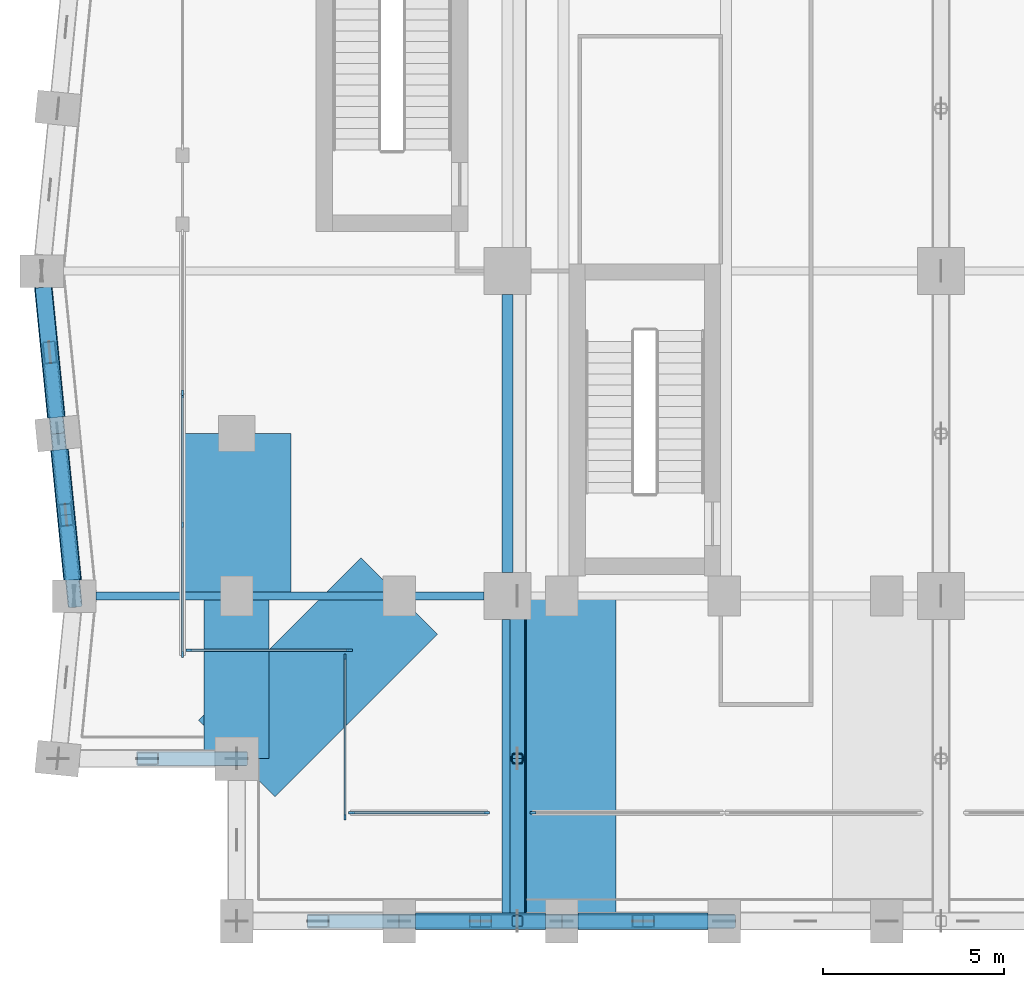
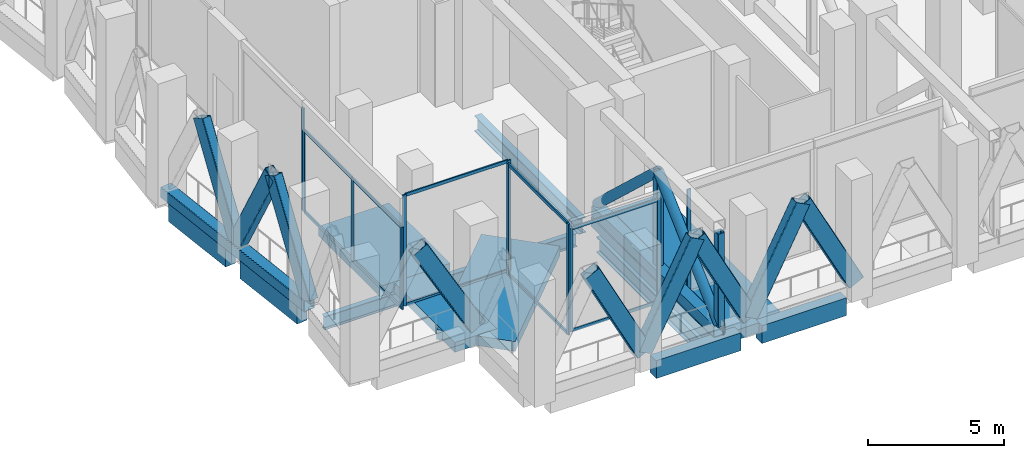
# One storey, part 2 of 37: 36 members, 11 beams, 6 elements without a shape of their own.
"""IFC4 building model written with IfcOpenShell, lengths in metres."""

from ifc_helpers import new_model, si_unit, direction, frame, origin, origin_2d, place, context, subcontext, project, spatial, rectangle, hollow_rectangle, hollow_circle, i_section, extrude, material, material_profile, profile_set, type_object, element, aggregate, save


model = new_model("IFC4")

# Units and contexts
model_context = context("Model", 3, precision=1e-05, world=origin(), true_north=direction((0.0, 1.0)))
body_context = subcontext(model_context, "Body", "Model", "MODEL_VIEW")
ifc_project = project(units=[si_unit("LENGTHUNIT", "METRE"), si_unit("AREAUNIT", "SQUARE_METRE"), si_unit("VOLUMEUNIT", "CUBIC_METRE"), si_unit("PLANEANGLEUNIT", "RADIAN"), si_unit("MASSUNIT", "GRAM", prefix="KILO")], contexts=[model_context])

# Site, building, storey
site_placement = place(None, origin())
site = spatial("IfcSite", under=ifc_project, at=site_placement, CompositionType="ELEMENT")
building_placement = place(site_placement, origin())
building = spatial("IfcBuilding", under=site, at=building_placement, Name="Brondeck Convention Tower", CompositionType="ELEMENT")
storey_placement = place(building_placement, frame((0.0, 0.0, 137.89990234375)))
storey = spatial("IfcBuildingStorey", under=building, at=storey_placement, Name="L33", CompositionType="ELEMENT", Elevation=137.89990234375)

# Beams
ifc_material_1 = material(Name="Concrete C70/85", Category="concrete")
ifc_material_profile_1 = material_profile(ifc_material_1, rectangle(XDim=1.800048828125, YDim=0.43994140625, at=origin_2d()), Name="Band beam 1800x440 Concrete C70/85")
ifc_profile_set_1 = profile_set([ifc_material_profile_1], Name="Concrete C70/85")
beam_type_1 = type_object("IfcBeamType", Name="Band beam 1800x440 Concrete C70/85", PredefinedType="BEAM", material=ifc_profile_set_1)
beam_1_placement = place(storey_placement, frame((4.5, 9.0, -0.219970703125), z_axis=(0.0, -1.0, 0.0), x_axis=(1.0, 0.0, 0.0)))
element("IfcBeam", 1, at=beam_1_placement, inside=storey, type_object=beam_type_1, Name="Band beam L33-19", PredefinedType="BEAM", context=body_context, shape_type="SweptSolid", body=[
    extrude(rectangle(XDim=1.800048828125, YDim=0.43994140625, at=origin_2d()), origin(), (0.0, 0.0, 1.0), 4.5),
])
ifc_material_profile_2 = material_profile(ifc_material_1, rectangle(XDim=3.0, YDim=0.43994140625, at=origin_2d()), Name="Band beam 3000x440 Concrete C70/85")
ifc_profile_set_2 = profile_set([ifc_material_profile_2], Name="Concrete C70/85")
beam_type_2 = type_object("IfcBeamType", Name="Band beam 3000x440 Concrete C70/85", PredefinedType="BEAM", material=ifc_profile_set_2)
beam_2_placement = place(storey_placement, frame((4.5, 13.5, -0.219970703125), z_axis=(0.0, -1.0, 0.0), x_axis=(1.0, 0.0, 0.0)))
element("IfcBeam", 2, at=beam_2_placement, inside=storey, type_object=beam_type_2, Name="Band beam L33-20", PredefinedType="BEAM", context=body_context, shape_type="SweptSolid", body=[
    extrude(rectangle(XDim=3.0, YDim=0.43994140625, at=origin_2d()), origin(), (0.0, 0.0, 1.0), 4.5),
])
beam_3_placement = place(storey_placement, frame((9.0, 9.0, -0.219970703125), z_axis=(-0.707106781187, -0.707106781187, 0.0), x_axis=(0.707106781187, -0.707106781187, 0.0)))
element("IfcBeam", 3, at=beam_3_placement, inside=storey, type_object=beam_type_2, Name="Band beam L33-21", PredefinedType="BEAM", context=body_context, shape_type="SweptSolid", body=[
    extrude(rectangle(XDim=3.0, YDim=0.43994140625, at=origin_2d()), origin(), (0.0, 0.0, 1.0), 6.364013671875),
])
beam_4_placement = place(storey_placement, frame((13.5, 9.0, -0.219970703125), z_axis=(0.0, -1.0, 0.0), x_axis=(1.0, 0.0, 0.0)))
element("IfcBeam", 4, at=beam_4_placement, inside=storey, type_object=beam_type_2, Name="Band beam L33-22", PredefinedType="BEAM", context=body_context, shape_type="SweptSolid", body=[
    extrude(rectangle(XDim=3.0, YDim=0.43994140625, at=origin_2d()), origin(), (0.0, 0.0, 1.0), 9.0),
])

# Curtain wall, members
ifc_material_2 = material(Name="Aluminium, bronze anodised", Category="aluminium")
curtain_wall_type = type_object("IfcCurtainWallType", Name="Sky lobby curtain wall", PredefinedType="NOTDEFINED", material=ifc_material_2)
curtain_wall_1_placement = place(storey_placement, origin())
curtain_wall_1 = element("IfcCurtainWall", 5, at=curtain_wall_1_placement, inside=storey, type_object=curtain_wall_type, Name="ENV-L33-001-CW30", PredefinedType="NOTDEFINED")
ifc_material_profile_3 = material_profile(ifc_material_2, rectangle(XDim=0.06005859375, YDim=0.159912109375, at=origin_2d()), Name="CW3 mullion")
ifc_profile_set_3 = profile_set([ifc_material_profile_3], Name="Aluminium, bronze anodised")
member_type_1 = type_object("IfcMemberType", Name="CW3 mullion", PredefinedType="MULLION", material=ifc_profile_set_3)
member_1_placement = place(storey_placement, frame((7.6201171875, 7.5, 0.0), z_axis=(0.0, 0.0, 1.0), x_axis=(0.0, -1.0, 0.0)))
member_1 = element("IfcMember", 6, at=member_1_placement, type_object=member_type_1, Name="CW3 mullion 1", PredefinedType="MULLION", context=body_context, shape_type="SweptSolid", body=[
    extrude(rectangle(XDim=0.06005859375, YDim=0.159912109375, at=origin_2d()), origin(), (0.0, 0.0, 1.0), 5.0),
])
member_2_placement = place(storey_placement, frame((3.179931640625, 7.5, 0.0), z_axis=(0.0, 0.0, 1.0), x_axis=(0.0, -1.0, 0.0)))
member_2 = element("IfcMember", 7, at=member_2_placement, type_object=member_type_1, Name="CW3 mullion 2", PredefinedType="MULLION", context=body_context, shape_type="SweptSolid", body=[
    extrude(rectangle(XDim=0.06005859375, YDim=0.159912109375, at=origin_2d()), origin(), (0.0, 0.0, 1.0), 5.0),
])

curtain_wall_2_placement = place(storey_placement, origin())
curtain_wall_2 = element("IfcCurtainWall", 8, at=curtain_wall_2_placement, inside=storey, type_object=curtain_wall_type, Name="ENV-L33-002-CW30", PredefinedType="NOTDEFINED")
member_3_placement = place(storey_placement, frame((7.5, 2.8798828125, 0.0), z_axis=(0.0, 0.0, 1.0), x_axis=(-1.0, 0.0, 0.0)))
member_3 = element("IfcMember", 9, at=member_3_placement, type_object=member_type_1, Name="CW3 mullion 1", PredefinedType="MULLION", context=body_context, shape_type="SweptSolid", body=[
    extrude(rectangle(XDim=0.06005859375, YDim=0.159912109375, at=origin_2d()), origin(), (0.0, 0.0, 1.0), 5.0),
])
member_4_placement = place(storey_placement, frame((7.5, 7.320068359375, 0.0), z_axis=(0.0, 0.0, 1.0), x_axis=(-1.0, 0.0, 0.0)))
member_4 = element("IfcMember", 10, at=member_4_placement, type_object=member_type_1, Name="CW3 mullion 2", PredefinedType="MULLION", context=body_context, shape_type="SweptSolid", body=[
    extrude(rectangle(XDim=0.06005859375, YDim=0.159912109375, at=origin_2d()), origin(), (0.0, 0.0, 1.0), 5.0),
])

curtain_wall_3_placement = place(storey_placement, origin())
curtain_wall_3 = element("IfcCurtainWall", 11, at=curtain_wall_3_placement, inside=storey, type_object=curtain_wall_type, Name="ENV-L33-003-CW30", PredefinedType="NOTDEFINED")
member_5_placement = place(storey_placement, frame((11.419921875, 3.0, 0.0), z_axis=(0.0, 0.0, 1.0), x_axis=(0.0, -1.0, 0.0)))
member_5 = element("IfcMember", 12, at=member_5_placement, type_object=member_type_1, Name="CW3 mullion 1", PredefinedType="MULLION", context=body_context, shape_type="SweptSolid", body=[
    extrude(rectangle(XDim=0.06005859375, YDim=0.159912109375, at=origin_2d()), origin(), (0.0, 0.0, 1.0), 4.650146484375),
])
member_6_placement = place(storey_placement, frame((7.679931640625, 3.0, 0.0), z_axis=(0.0, 0.0, 1.0), x_axis=(0.0, -1.0, 0.0)))
member_6 = element("IfcMember", 13, at=member_6_placement, type_object=member_type_1, Name="CW3 mullion 2", PredefinedType="MULLION", context=body_context, shape_type="SweptSolid", body=[
    extrude(rectangle(XDim=0.06005859375, YDim=0.159912109375, at=origin_2d()), origin(), (0.0, 0.0, 1.0), 4.650146484375),
])

# Curtain wall, member
curtain_wall_4_placement = place(storey_placement, origin())
curtain_wall_4 = element("IfcCurtainWall", 14, at=curtain_wall_4_placement, inside=storey, type_object=curtain_wall_type, Name="ENV-L33-004-CW30", PredefinedType="NOTDEFINED")
member_7_placement = place(storey_placement, frame((12.699951171875, 3.0, 0.0), z_axis=(0.0, 0.0, 1.0), x_axis=(0.0, -1.0, 0.0)))
member_7 = element("IfcMember", 15, at=member_7_placement, type_object=member_type_1, Name="CW3 mullion 2", PredefinedType="MULLION", context=body_context, shape_type="SweptSolid", body=[
    extrude(rectangle(XDim=0.06005859375, YDim=0.159912109375, at=origin_2d()), origin(), (0.0, 0.0, 1.0), 4.650146484375),
])
aggregate(curtain_wall_4, [member_7])

curtain_wall_5_placement = place(storey_placement, origin())
curtain_wall_5 = element("IfcCurtainWall", 16, at=curtain_wall_5_placement, inside=storey, type_object=curtain_wall_type, Name="ENV-L33-032-CW30", PredefinedType="NOTDEFINED")
member_8_placement = place(storey_placement, frame((3.0, 14.6298828125, 0.0), z_axis=(0.0, 0.0, 1.0), x_axis=(-1.0, 0.0, 0.0)))
member_8 = element("IfcMember", 17, at=member_8_placement, type_object=member_type_1, Name="CW3 mullion 1", PredefinedType="MULLION", context=body_context, shape_type="SweptSolid", body=[
    extrude(rectangle(XDim=0.06005859375, YDim=0.159912109375, at=origin_2d()), origin(), (0.0, 0.0, 1.0), 4.650146484375),
])
aggregate(curtain_wall_5, [member_8])

# Curtain wall, members
curtain_wall_6_placement = place(storey_placement, origin())
curtain_wall_6 = element("IfcCurtainWall", 18, at=curtain_wall_6_placement, inside=storey, type_object=curtain_wall_type, Name="ENV-L33-033-CW30", PredefinedType="NOTDEFINED")
member_9_placement = place(storey_placement, frame((3.0, 7.3798828125, 0.0), z_axis=(0.0, 0.0, 1.0), x_axis=(-1.0, 0.0, 0.0)))
member_9 = element("IfcMember", 19, at=member_9_placement, type_object=member_type_1, Name="CW3 mullion 1", PredefinedType="MULLION", context=body_context, shape_type="SweptSolid", body=[
    extrude(rectangle(XDim=0.06005859375, YDim=0.159912109375, at=origin_2d()), origin(), (0.0, 0.0, 1.0), 3.7001953125),
])
member_10_placement = place(storey_placement, frame((3.0, 10.97509765625, 0.0), z_axis=(0.0, 0.0, 1.0), x_axis=(-1.0, 0.0, 0.0)))
member_10 = element("IfcMember", 20, at=member_10_placement, type_object=member_type_1, Name="CW3 mullion 2", PredefinedType="MULLION", context=body_context, shape_type="SweptSolid", body=[
    extrude(rectangle(XDim=0.06005859375, YDim=0.159912109375, at=origin_2d()), origin(), (0.0, 0.0, 1.0), 3.7001953125),
])
member_11_placement = place(storey_placement, frame((3.0, 14.570068359375, 0.0), z_axis=(0.0, 0.0, 1.0), x_axis=(-1.0, 0.0, 0.0)))
member_11 = element("IfcMember", 21, at=member_11_placement, type_object=member_type_1, Name="CW3 mullion 3", PredefinedType="MULLION", context=body_context, shape_type="SweptSolid", body=[
    extrude(rectangle(XDim=0.06005859375, YDim=0.159912109375, at=origin_2d()), origin(), (0.0, 0.0, 1.0), 3.7001953125),
])

# Member
ifc_material_profile_4 = material_profile(ifc_material_2, rectangle(XDim=0.06005859375, YDim=0.139892578125, at=origin_2d()), Name="CW3 transom")
ifc_profile_set_4 = profile_set([ifc_material_profile_4], Name="Aluminium, bronze anodised")
member_type_2 = type_object("IfcMemberType", Name="CW3 transom", PredefinedType="USERDEFINED", material=ifc_profile_set_4)
member_12_placement = place(storey_placement, frame((7.590087890625, 7.5, 0.030029296875), z_axis=(-1.0, 0.0, 0.0), x_axis=(0.0, -1.0, 0.0)))
member_12 = element("IfcMember", 22, at=member_12_placement, type_object=member_type_2, Name="CW3 transom 1.1", ObjectType="TRANSOM", PredefinedType="USERDEFINED", context=body_context, shape_type="SweptSolid", body=[
    extrude(rectangle(XDim=0.06005859375, YDim=0.139892578125, at=origin_2d()), origin(), (0.0, 0.0, 1.0), 4.380126953125),
])

member_13_placement = place(storey_placement, frame((7.590087890625, 7.5, 4.97021484375), z_axis=(-1.0, 0.0, 0.0), x_axis=(0.0, -1.0, 0.0)))
member_13 = element("IfcMember", 23, at=member_13_placement, type_object=member_type_2, Name="CW3 transom 1.2", ObjectType="TRANSOM", PredefinedType="USERDEFINED", context=body_context, shape_type="SweptSolid", body=[
    extrude(rectangle(XDim=0.06005859375, YDim=0.139892578125, at=origin_2d()), origin(), (0.0, 0.0, 1.0), 4.380126953125),
])

aggregate(curtain_wall_1, [member_1, member_2, member_12, member_13])

member_14_placement = place(storey_placement, frame((7.5, 2.909912109375, 0.030029296875), z_axis=(0.0, 1.0, 0.0), x_axis=(-1.0, 0.0, 0.0)))
member_14 = element("IfcMember", 24, at=member_14_placement, type_object=member_type_2, Name="CW3 transom 1.1", ObjectType="TRANSOM", PredefinedType="USERDEFINED", context=body_context, shape_type="SweptSolid", body=[
    extrude(rectangle(XDim=0.06005859375, YDim=0.139892578125, at=origin_2d()), origin(), (0.0, 0.0, 1.0), 4.380126953125),
])

member_15_placement = place(storey_placement, frame((7.5, 2.909912109375, 4.97021484375), z_axis=(0.0, 1.0, 0.0), x_axis=(-1.0, 0.0, 0.0)))
member_15 = element("IfcMember", 25, at=member_15_placement, type_object=member_type_2, Name="CW3 transom 1.2", ObjectType="TRANSOM", PredefinedType="USERDEFINED", context=body_context, shape_type="SweptSolid", body=[
    extrude(rectangle(XDim=0.06005859375, YDim=0.139892578125, at=origin_2d()), origin(), (0.0, 0.0, 1.0), 4.380126953125),
])

aggregate(curtain_wall_2, [member_3, member_4, member_14, member_15])

member_16_placement = place(storey_placement, frame((11.389892578125, 3.0, 0.030029296875), z_axis=(-1.0, 0.0, 0.0), x_axis=(0.0, -1.0, 0.0)))
member_16 = element("IfcMember", 26, at=member_16_placement, type_object=member_type_2, Name="CW3 transom 1.1", ObjectType="TRANSOM", PredefinedType="USERDEFINED", context=body_context, shape_type="SweptSolid", body=[
    extrude(rectangle(XDim=0.06005859375, YDim=0.139892578125, at=origin_2d()), origin(), (0.0, 0.0, 1.0), 3.679931640625),
])

member_17_placement = place(storey_placement, frame((11.389892578125, 3.0, 4.6201171875), z_axis=(-1.0, 0.0, 0.0), x_axis=(0.0, -1.0, 0.0)))
member_17 = element("IfcMember", 27, at=member_17_placement, type_object=member_type_2, Name="CW3 transom 1.2", ObjectType="TRANSOM", PredefinedType="USERDEFINED", context=body_context, shape_type="SweptSolid", body=[
    extrude(rectangle(XDim=0.06005859375, YDim=0.139892578125, at=origin_2d()), origin(), (0.0, 0.0, 1.0), 3.679931640625),
])

aggregate(curtain_wall_3, [member_5, member_6, member_16, member_17])

member_18_placement = place(storey_placement, frame((3.0, 7.409912109375, 0.030029296875), z_axis=(0.0, 1.0, 0.0), x_axis=(-1.0, 0.0, 0.0)))
member_18 = element("IfcMember", 28, at=member_18_placement, type_object=member_type_2, Name="CW3 transom 1.1", ObjectType="TRANSOM", PredefinedType="USERDEFINED", context=body_context, shape_type="SweptSolid", body=[
    extrude(rectangle(XDim=0.06005859375, YDim=0.139892578125, at=origin_2d()), origin(), (0.0, 0.0, 1.0), 3.53515625),
])

member_19_placement = place(storey_placement, frame((3.0, 7.409912109375, 3.670166015625), z_axis=(0.0, 1.0, 0.0), x_axis=(-1.0, 0.0, 0.0)))
member_19 = element("IfcMember", 29, at=member_19_placement, type_object=member_type_2, Name="CW3 transom 1.2", ObjectType="TRANSOM", PredefinedType="USERDEFINED", context=body_context, shape_type="SweptSolid", body=[
    extrude(rectangle(XDim=0.06005859375, YDim=0.139892578125, at=origin_2d()), origin(), (0.0, 0.0, 1.0), 3.53515625),
])

member_20_placement = place(storey_placement, frame((3.0, 11.0048828125, 0.030029296875), z_axis=(0.0, 1.0, 0.0), x_axis=(-1.0, 0.0, 0.0)))
member_20 = element("IfcMember", 30, at=member_20_placement, type_object=member_type_2, Name="CW3 transom 2.1", ObjectType="TRANSOM", PredefinedType="USERDEFINED", context=body_context, shape_type="SweptSolid", body=[
    extrude(rectangle(XDim=0.06005859375, YDim=0.139892578125, at=origin_2d()), origin(), (0.0, 0.0, 1.0), 3.53515625),
])

member_21_placement = place(storey_placement, frame((3.0, 11.0048828125, 3.670166015625), z_axis=(0.0, 1.0, 0.0), x_axis=(-1.0, 0.0, 0.0)))
member_21 = element("IfcMember", 31, at=member_21_placement, type_object=member_type_2, Name="CW3 transom 2.2", ObjectType="TRANSOM", PredefinedType="USERDEFINED", context=body_context, shape_type="SweptSolid", body=[
    extrude(rectangle(XDim=0.06005859375, YDim=0.139892578125, at=origin_2d()), origin(), (0.0, 0.0, 1.0), 3.53515625),
])

aggregate(curtain_wall_6, [member_9, member_10, member_11, member_18, member_19, member_20, member_21])

# Members
ifc_material_3 = material(Name="Steel S460", Category="steel")
ifc_material_profile_5 = material_profile(ifc_material_3, hollow_rectangle(XDim=0.39990234375, YDim=0.699951171875, WallThickness=0.030029296875, InnerFilletRadius=0.030029296875, OuterFilletRadius=0.06005859375, at=origin_2d()), Name="RHS 700x400x30")
ifc_profile_set_5 = profile_set([ifc_material_profile_5], Name="Steel S460")
member_type_3 = type_object("IfcMemberType", Name="Chevron brace RHS 700x400x30", PredefinedType="BRACE", material=ifc_profile_set_5)
for number, where, z_axis, x_axis, name in (
    (32, (9.0, 0.0, 0.5), (-0.459414782038, 0.0, 0.888221851817), (0.0, -1.0, 0.0), "Belt truss BT-33-1 diagonal"),
    (33, (9.0, 0.0, 0.5), (0.459414782038, 0.0, 0.888221851817), (0.0, 1.0, 0.0), "Belt truss BT-33-2 diagonal"),
    (34, (13.5, 0.0, 0.5), (-0.459414782038, 0.0, 0.888221851817), (0.0, -1.0, 0.0), "Belt truss BT-33-2 diagonal"),
    (35, (13.5, 0.0, 0.5), (0.459414782038, 0.0, 0.888221851817), (0.0, 1.0, 0.0), "Belt truss BT-33-3 diagonal"),
    (36, (18.0, 0.0, 0.5), (-0.459414782038, 0.0, 0.888221851817), (0.0, -1.0, 0.0), "Belt truss BT-33-3 diagonal"),
):
    element("IfcMember", number, at=place(storey_placement, frame(where, z_axis=z_axis, x_axis=x_axis)), inside=storey, type_object=member_type_3, Name=name, PredefinedType="BRACE", context=body_context, shape_type="SweptSolid", body=[
        extrude(hollow_rectangle(XDim=0.39990234375, YDim=0.699951171875, WallThickness=0.030029296875, InnerFilletRadius=0.030029296875, OuterFilletRadius=0.06005859375, at=origin_2d()), origin(), (0.0, 0.0, 1.0), 4.8974609375),
    ])
for number, where, z_axis, x_axis, name in (
    (37, (-0.449951171875, 13.5, 0.5), (-0.045912949215, 0.458930303654, 0.887285172581), (-0.995032913332, -0.099546478526, 0.0), "Belt truss BT-33-56 diagonal"),
    (38, (-0.449951171875, 13.5, 0.5), (0.045863256892, -0.458931352356, 0.887287200117), (0.995043602151, 0.099439578731, 0.0), "Belt truss BT-33-57 diagonal"),
    (39, (0.0, 9.0, 0.5), (-0.045912949215, 0.458930303654, 0.887285172581), (-0.995032913332, -0.099546478526, 0.0), "Belt truss BT-33-57 diagonal"),
):
    element("IfcMember", number, at=place(storey_placement, frame(where, z_axis=z_axis, x_axis=x_axis)), inside=storey, type_object=member_type_3, Name=name, PredefinedType="BRACE", context=body_context, shape_type="SweptSolid", body=[
        extrude(hollow_rectangle(XDim=0.39990234375, YDim=0.699951171875, WallThickness=0.030029296875, InnerFilletRadius=0.030029296875, OuterFilletRadius=0.06005859375, at=origin_2d()), origin(), (0.0, 0.0, 1.0), 4.902587890625),
    ])
member_22_placement = place(storey_placement, frame((4.5, 4.5, 0.5), z_axis=(-0.494530602788, 0.0, 0.869160217052), x_axis=(0.0, -1.0, 0.0)))
element("IfcMember", 40, at=member_22_placement, inside=storey, type_object=member_type_3, Name="Belt truss BT-33-59 diagonal", PredefinedType="BRACE", context=body_context, shape_type="SweptSolid", body=[
    extrude(hollow_rectangle(XDim=0.39990234375, YDim=0.699951171875, WallThickness=0.030029296875, InnerFilletRadius=0.030029296875, OuterFilletRadius=0.06005859375, at=origin_2d()), origin(), (0.0, 0.0, 1.0), 5.0048828125),
])

# Beams
ifc_material_4 = material(Name="Steel S355", Category="steel")
ifc_material_profile_6 = material_profile(ifc_material_4, i_section(OverallWidth=0.219970703125, OverallDepth=0.60009765625, WebThickness=0.011962890625, FlangeThickness=0.01904296875, FilletRadius=0.02392578125, at=origin_2d()), Name="IPE 600")
ifc_profile_set_6 = profile_set([ifc_material_profile_6], Name="Steel S355")
beam_type_3 = type_object("IfcBeamType", Name="Floor beam IPE 600", PredefinedType="BEAM", material=ifc_profile_set_6)
beam_5_placement = place(storey_placement, frame((0.60009765625, 9.0, -0.75), z_axis=(1.0, 0.0, 0.0), x_axis=(0.0, 1.0, 0.0)))
element("IfcBeam", 41, at=beam_5_placement, inside=storey, type_object=beam_type_3, Name="STR-FB-L33-009", PredefinedType="BEAM", context=body_context, shape_type="SweptSolid", body=[
    extrude(i_section(OverallWidth=0.219970703125, OverallDepth=0.60009765625, WebThickness=0.011962890625, FlangeThickness=0.01904296875, FilletRadius=0.02392578125, at=origin_2d()), origin(), (0.0, 0.0, 1.0), 10.75),
])
ifc_material_profile_7 = material_profile(ifc_material_4, i_section(OverallWidth=0.300048828125, OverallDepth=0.699951171875, WebThickness=0.01708984375, FlangeThickness=0.031982421875, FilletRadius=0.027099609375, at=origin_2d()), Name="HEB 700")
ifc_profile_set_7 = profile_set([ifc_material_profile_7], Name="Steel S355")
beam_type_4 = type_object("IfcBeamType", Name="Girder HEB 700", PredefinedType="BEAM", material=ifc_profile_set_7)
beam_6_placement = place(storey_placement, frame((12.0, 17.35009765625, -0.7998046875), z_axis=(0.0, -1.0, 0.0), x_axis=(1.0, 0.0, 0.0)))
element("IfcBeam", 42, at=beam_6_placement, inside=storey, type_object=beam_type_4, Name="STR-GR-L33-015", PredefinedType="BEAM", context=body_context, shape_type="SweptSolid", body=[
    extrude(i_section(OverallWidth=0.300048828125, OverallDepth=0.699951171875, WebThickness=0.01708984375, FlangeThickness=0.031982421875, FilletRadius=0.027099609375, at=origin_2d()), origin(), (0.0, 0.0, 1.0), 7.7001953125),
])
beam_7_placement = place(storey_placement, frame((12.0, 8.35009765625, -0.7998046875), z_axis=(0.0, -1.0, 0.0), x_axis=(1.0, 0.0, 0.0)))
element("IfcBeam", 43, at=beam_7_placement, inside=storey, type_object=beam_type_4, Name="STR-GR-L33-016", PredefinedType="BEAM", context=body_context, shape_type="SweptSolid", body=[
    extrude(i_section(OverallWidth=0.300048828125, OverallDepth=0.699951171875, WebThickness=0.01708984375, FlangeThickness=0.031982421875, FilletRadius=0.027099609375, at=origin_2d()), origin(), (0.0, 0.0, 1.0), 8.125),
])
ifc_material_profile_8 = material_profile(ifc_material_1, rectangle(XDim=0.449951171875, YDim=0.800048828125, at=origin_2d()), Name="Precast spandrel 450x800 Concrete C70/85")
ifc_profile_set_8 = profile_set([ifc_material_profile_8], Name="Concrete C70/85")
beam_type_5 = type_object("IfcBeamType", Name="Precast spandrel 450x800 Concrete C70/85", PredefinedType="SPANDREL", material=ifc_profile_set_8)
for number, where, z_axis, x_axis, name in (
    (44, (9.449951171875, 0.0, -0.39990234375), (1.0, 0.0, 0.0), (0.0, 1.0, 0.0), "STR-SP-L33-002"),
    (45, (13.949951171875, 0.0, -0.39990234375), (1.0, 0.0, 0.0), (0.0, 1.0, 0.0), "STR-SP-L33-003"),
):
    element("IfcBeam", number, at=place(storey_placement, frame(where, z_axis=z_axis, x_axis=x_axis)), inside=storey, type_object=beam_type_5, Name=name, PredefinedType="SPANDREL", context=body_context, shape_type="SweptSolid", body=[
        extrude(rectangle(XDim=0.449951171875, YDim=0.800048828125, at=origin_2d()), origin(), (0.0, 0.0, 1.0), 3.60009765625),
    ])
for number, where, z_axis, x_axis, name in (
    (46, (-0.85498046875, 17.550048828125, -0.39990234375), (0.099470334057, -0.995040528141, 0.0), (0.995040528141, 0.099470334057, 0.0), "STR-SP-L33-056"),
    (47, (-0.4052734375, 13.05224609375, -0.39990234375), (0.099537103649, -0.995033851182, 0.0), (0.995033851182, 0.099537103649, 0.0), "STR-SP-L33-057"),
):
    element("IfcBeam", number, at=place(storey_placement, frame(where, z_axis=z_axis, x_axis=x_axis)), inside=storey, type_object=beam_type_5, Name=name, PredefinedType="SPANDREL", context=body_context, shape_type="SweptSolid", body=[
        extrude(rectangle(XDim=0.449951171875, YDim=0.800048828125, at=origin_2d()), origin(), (0.0, 0.0, 1.0), 3.620361328125),
    ])

# Members
ifc_material_profile_9 = material_profile(ifc_material_3, hollow_rectangle(XDim=0.5, YDim=0.5, WallThickness=0.02490234375, InnerFilletRadius=0.02490234375, OuterFilletRadius=0.050048828125, at=origin_2d()), Name="RHS 500x500x25")
ifc_profile_set_9 = profile_set([ifc_material_profile_9], Name="Steel S460")
member_type_4 = type_object("IfcMemberType", Name="Truss chord RHS 500x500x25", PredefinedType="CHORD", material=ifc_profile_set_9)
member_23_placement = place(storey_placement, frame((-0.89990234375, 18.0, 0.25), z_axis=(0.099493029059, -0.995038259148, 0.0), x_axis=(0.995038259148, 0.099493029059, 0.0)))
element("IfcMember", 48, at=member_23_placement, inside=storey, type_object=member_type_4, Name="Belt truss BT-33-31 chord", PredefinedType="CHORD", context=body_context, shape_type="SweptSolid", body=[
    extrude(hollow_rectangle(XDim=0.5, YDim=0.5, WallThickness=0.02490234375, InnerFilletRadius=0.02490234375, OuterFilletRadius=0.050048828125, at=origin_2d()), origin(), (0.0, 0.0, 1.0), 9.044921875),
])
member_24_placement = place(storey_placement, frame((12.27001953125, 9.0, 0.25), z_axis=(0.0, -1.0, 0.0), x_axis=(1.0, 0.0, 0.0)))
element("IfcMember", 49, at=member_24_placement, inside=storey, type_object=member_type_4, Name="Outrigger truss OT-33-B1 chord", PredefinedType="CHORD", context=body_context, shape_type="SweptSolid", body=[
    extrude(hollow_rectangle(XDim=0.5, YDim=0.5, WallThickness=0.02490234375, InnerFilletRadius=0.02490234375, OuterFilletRadius=0.050048828125, at=origin_2d()), origin(), (0.0, 0.0, 1.0), 9.0),
])
ifc_material_profile_10 = material_profile(ifc_material_3, hollow_circle(Radius=0.203125, WallThickness=0.02490234375, at=origin_2d()), Name="CHS 406.4x25")
ifc_profile_set_10 = profile_set([ifc_material_profile_10], Name="Steel S460")
member_type_5 = type_object("IfcMemberType", Name="Truss diagonal CHS 406.4x25", PredefinedType="BRACE", material=ifc_profile_set_10)
for number, where, z_axis, x_axis, name in (
    (50, (12.27001953125, 9.0, 0.5), (0.0, -0.731039441158, 0.682335207557), (1.0, 0.0, 0.0), "Outrigger truss OT-33-B1 diagonal"),
    (51, (12.27001953125, 4.5, 4.7001953125), (0.0, -0.731039441158, -0.682335207557), (1.0, 0.0, 0.0), "Outrigger truss OT-33-B1 diagonal"),
):
    element("IfcMember", number, at=place(storey_placement, frame(where, z_axis=z_axis, x_axis=x_axis)), inside=storey, type_object=member_type_5, Name=name, PredefinedType="BRACE", context=body_context, shape_type="SweptSolid", body=[
        extrude(hollow_circle(Radius=0.203125, WallThickness=0.02490234375, at=origin_2d()), origin(), (0.0, 0.0, 1.0), 6.155517578125),
    ])
ifc_material_profile_11 = material_profile(ifc_material_3, hollow_rectangle(XDim=0.300048828125, YDim=0.300048828125, WallThickness=0.01611328125, InnerFilletRadius=0.01611328125, OuterFilletRadius=0.031982421875, at=origin_2d()), Name="RHS 300x300x16")
ifc_profile_set_11 = profile_set([ifc_material_profile_11], Name="Steel S460")
member_type_6 = type_object("IfcMemberType", Name="Truss vertical RHS 300x300x16", PredefinedType="STRUT", material=ifc_profile_set_11)
for number, where, z_axis, x_axis, name in (
    (52, (12.27001953125, 4.5, 0.5), (0.0, 0.0, 1.0), (1.0, 0.0, 0.0), "Outrigger truss OT-33-B1 vertical"),
    (53, (12.27001953125, 0.0, 0.5), (0.0, 0.0, 1.0), (1.0, 0.0, 0.0), "Outrigger truss OT-33-B1 vertical"),
):
    element("IfcMember", number, at=place(storey_placement, frame(where, z_axis=z_axis, x_axis=x_axis)), inside=storey, type_object=member_type_6, Name=name, PredefinedType="STRUT", context=body_context, shape_type="SweptSolid", body=[
        extrude(hollow_rectangle(XDim=0.300048828125, YDim=0.300048828125, WallThickness=0.01611328125, InnerFilletRadius=0.01611328125, OuterFilletRadius=0.031982421875, at=origin_2d()), origin(), (0.0, 0.0, 1.0), 4.2001953125),
    ])

save(model, "model.ifc")
